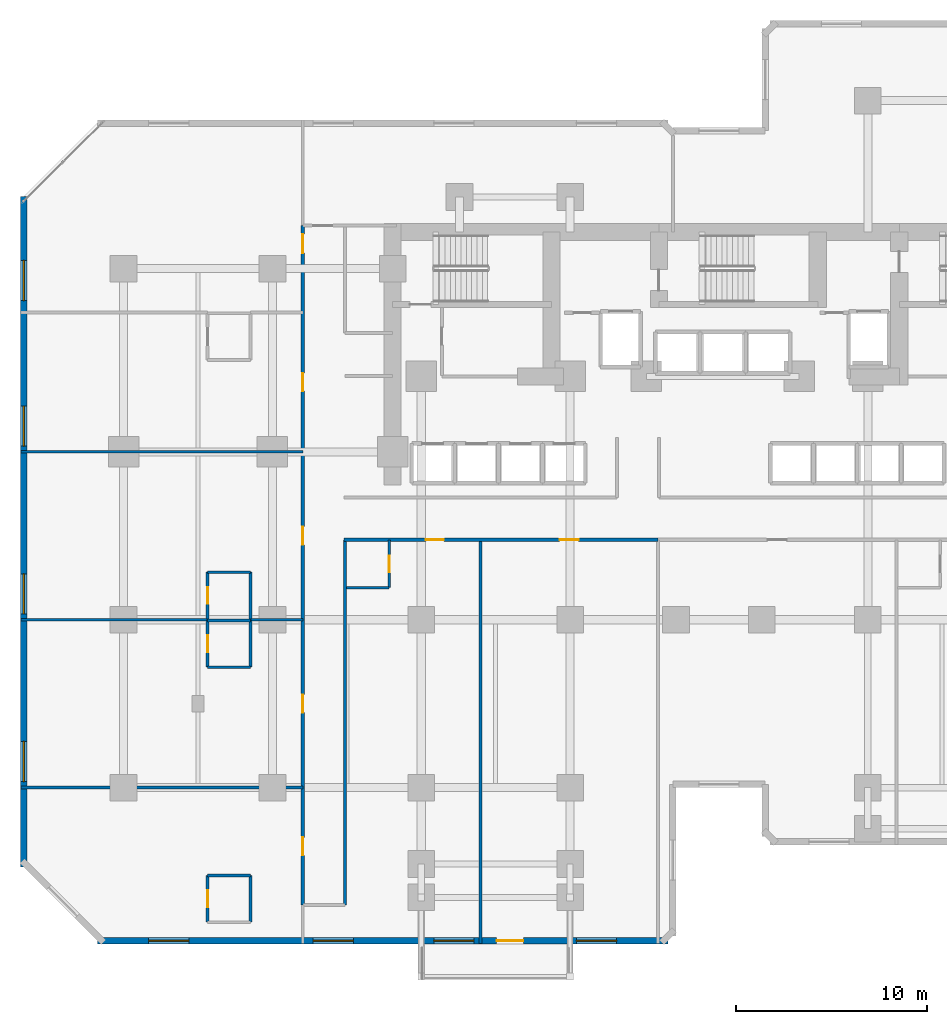
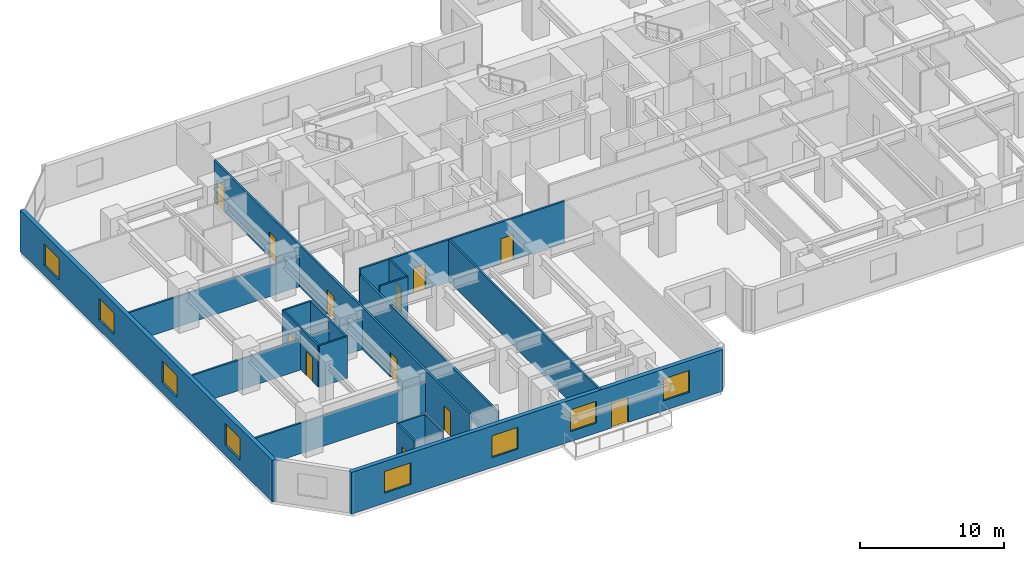
# One storey, part 5 of 11: 22 walls, 12 doors, 8 windows, 20 openings.
"""IFC4 building model written with IfcOpenShell, lengths in metres."""

from ifc_helpers import new_model, si_unit, direction, frame, frame_2d, origin, place, context, subcontext, project, spatial, rectangle, extrude, material, layer, layer_set, type_object, element, fill, save


model = new_model("IFC4")

# Units and contexts
model_context = context("Model", 3, precision=1e-05, world=origin(), true_north=direction((0.0, 1.0)))
body_context = subcontext(model_context, "Body", "Model", "MODEL_VIEW")
ifc_project = project(units=[si_unit("LENGTHUNIT", "METRE"), si_unit("AREAUNIT", "SQUARE_METRE"), si_unit("VOLUMEUNIT", "CUBIC_METRE"), si_unit("PLANEANGLEUNIT", "RADIAN"), si_unit("MASSUNIT", "GRAM", prefix="KILO")], contexts=[model_context])

# Site, building, storey
site_placement = place(None, origin())
site = spatial("IfcSite", under=ifc_project, at=site_placement, CompositionType="ELEMENT")
building_placement = place(site_placement, origin())
building = spatial("IfcBuilding", under=site, at=building_placement, Name="Kestravale Grand Hotel", CompositionType="ELEMENT")
storey_placement = place(building_placement, frame((0.0, 0.0, 45.0)))
storey = spatial("IfcBuildingStorey", under=building, at=storey_placement, Name="L10", CompositionType="ELEMENT", Elevation=45.0)

# Wall, openings, door, windows
ifc_material_1 = material(Name="Precast concrete f'c 45 MPa", Category="concrete")
ifc_layer_1 = layer(ifc_material_1, 0.340087890625)
ifc_layer_set_1 = layer_set([ifc_layer_1], Name="EW-PREC-340")
wall_type_1 = type_object("IfcWallType", Name="EW-PREC-340", PredefinedType="SOLIDWALL", material=ifc_layer_set_1)
wall_1_placement = place(storey_placement, frame((6.429931640625, 3.169921875, 0.0), z_axis=(0.0, 0.0, 1.0), x_axis=(1.0, 0.0, 0.0)))
wall_1 = element("IfcWall", 1, at=wall_1_placement, inside=storey, type_object=wall_type_1, Name="L10 fluted precast facade wall 1", PredefinedType="SOLIDWALL", context=body_context, shape_type="SweptSolid", body=[
    extrude(rectangle(XDim=29.89013671875, YDim=0.340087890625, at=frame_2d((14.945068359375, 0.0))), origin(), (0.0, 0.0, 1.0), 3.5400390625),
])
opening_1_placement = place(wall_1_placement, frame((20.919921875, 0.0, 0.0)))
opening_1 = element("IfcOpeningElement", 2, at=opening_1_placement, cuts=wall_1, Name="Opening D-TERR-1400", PredefinedType="OPENING", context=body_context, shape_type="SweptSolid", body=[
    extrude(rectangle(XDim=1.39990234375, YDim=2.14990234375, at=frame_2d((0.699951171875, 1.074951171875))), frame((0.0, 0.179931640625, 0.0), z_axis=(0.0, -1.0, 0.0), x_axis=(1.0, 0.0, 0.0)), (0.0, 0.0, 1.0), 0.360107421875),
])
opening_2_placement = place(wall_1_placement, frame((2.686279296875, 0.0, 0.85009765625)))
opening_2 = element("IfcOpeningElement", 3, at=opening_2_placement, cuts=wall_1, Name="Opening W-GUEST-2100", PredefinedType="OPENING", context=body_context, shape_type="SweptSolid", body=[
    extrude(rectangle(XDim=2.10009765625, YDim=1.85009765625, at=frame_2d((1.050048828125, 0.925048828125))), frame((0.0, 0.179931640625, 0.0), z_axis=(0.0, -1.0, 0.0), x_axis=(1.0, 0.0, 0.0)), (0.0, 0.0, 1.0), 0.360107421875),
])
opening_3_placement = place(wall_1_placement, frame((11.30859375, 0.0, 0.85009765625)))
opening_3 = element("IfcOpeningElement", 4, at=opening_3_placement, cuts=wall_1, Name="Opening W-GUEST-2100", PredefinedType="OPENING", context=body_context, shape_type="SweptSolid", body=[
    extrude(rectangle(XDim=2.10009765625, YDim=1.85009765625, at=frame_2d((1.050048828125, 0.925048828125))), frame((0.0, 0.179931640625, 0.0), z_axis=(0.0, -1.0, 0.0), x_axis=(1.0, 0.0, 0.0)), (0.0, 0.0, 1.0), 0.360107421875),
])
opening_4_placement = place(wall_1_placement, frame((17.631103515625, 0.0, 0.85009765625)))
opening_4 = element("IfcOpeningElement", 5, at=opening_4_placement, cuts=wall_1, Name="Opening W-GUEST-2100", PredefinedType="OPENING", context=body_context, shape_type="SweptSolid", body=[
    extrude(rectangle(XDim=2.10009765625, YDim=1.85009765625, at=frame_2d((1.050048828125, 0.925048828125))), frame((0.0, 0.179931640625, 0.0), z_axis=(0.0, -1.0, 0.0), x_axis=(1.0, 0.0, 0.0)), (0.0, 0.0, 1.0), 0.360107421875),
])
opening_5_placement = place(wall_1_placement, frame((25.103759765625, 0.0, 0.85009765625)))
opening_5 = element("IfcOpeningElement", 6, at=opening_5_placement, cuts=wall_1, Name="Opening W-GUEST-2100", PredefinedType="OPENING", context=body_context, shape_type="SweptSolid", body=[
    extrude(rectangle(XDim=2.10009765625, YDim=1.85009765625, at=frame_2d((1.050048828125, 0.925048828125))), frame((0.0, 0.179931640625, 0.0), z_axis=(0.0, -1.0, 0.0), x_axis=(1.0, 0.0, 0.0)), (0.0, 0.0, 1.0), 0.360107421875),
])
ifc_material_2 = material(Name="Insulated glazed champagne-bronze aluminium door", Category="aluminium")
door_type_1 = type_object("IfcDoorType", Name="D-TERR-1400", OperationType="NOTDEFINED", PredefinedType="DOOR", material=ifc_material_2)
door_1_placement = place(opening_1_placement, origin())
door_1 = element("IfcDoor", 7, at=door_1_placement, inside=storey, type_object=door_type_1, Name="L10 outdoor garden terrace door", OperationType="DOUBLE_DOOR_SINGLE_SWING", OverallHeight=2.14990234375, OverallWidth=1.39990234375, PredefinedType="DOOR", context=body_context, shape_type="SweptSolid", body=[
    extrude(rectangle(XDim=1.39990234375, YDim=2.14990234375, at=frame_2d((0.699951171875, 1.074951171875))), frame((0.0, 0.02490234375, 0.0), z_axis=(0.0, -1.0, 0.0), x_axis=(1.0, 0.0, 0.0)), (0.0, 0.0, 1.0), 0.050048828125),
])
fill(opening_1, door_1)
ifc_material_3 = material(Name="Insulated low-E double glazing in aluminium frame", Category="aluminium")
window_type = type_object("IfcWindowType", Name="W-GUEST-2100", PartitioningType="DOUBLE_PANEL_VERTICAL", PredefinedType="WINDOW", material=ifc_material_3)
window_1_placement = place(opening_2_placement, origin())
window_1 = element("IfcWindow", 8, at=window_1_placement, inside=storey, type_object=window_type, Name="L10 exterior window 1.1", OverallHeight=1.85009765625, OverallWidth=2.10009765625, PartitioningType="SINGLE_PANEL", PredefinedType="WINDOW", context=body_context, shape_type="SweptSolid", body=[
    extrude(rectangle(XDim=2.10009765625, YDim=1.85009765625, at=frame_2d((1.050048828125, 0.925048828125))), frame((0.0, 0.030029296875, 0.0), z_axis=(0.0, -1.0, 0.0), x_axis=(1.0, 0.0, 0.0)), (0.0, 0.0, 1.0), 0.06005859375),
])
fill(opening_2, window_1)
window_2_placement = place(opening_3_placement, origin())
window_2 = element("IfcWindow", 9, at=window_2_placement, inside=storey, type_object=window_type, Name="L10 exterior window 1.2", OverallHeight=1.85009765625, OverallWidth=2.10009765625, PartitioningType="SINGLE_PANEL", PredefinedType="WINDOW", context=body_context, shape_type="SweptSolid", body=[
    extrude(rectangle(XDim=2.10009765625, YDim=1.85009765625, at=frame_2d((1.050048828125, 0.925048828125))), frame((0.0, 0.030029296875, 0.0), z_axis=(0.0, -1.0, 0.0), x_axis=(1.0, 0.0, 0.0)), (0.0, 0.0, 1.0), 0.06005859375),
])
fill(opening_3, window_2)
window_3_placement = place(opening_4_placement, origin())
window_3 = element("IfcWindow", 10, at=window_3_placement, inside=storey, type_object=window_type, Name="L10 exterior window 1.3", OverallHeight=1.85009765625, OverallWidth=2.10009765625, PartitioningType="SINGLE_PANEL", PredefinedType="WINDOW", context=body_context, shape_type="SweptSolid", body=[
    extrude(rectangle(XDim=2.10009765625, YDim=1.85009765625, at=frame_2d((1.050048828125, 0.925048828125))), frame((0.0, 0.030029296875, 0.0), z_axis=(0.0, -1.0, 0.0), x_axis=(1.0, 0.0, 0.0)), (0.0, 0.0, 1.0), 0.06005859375),
])
fill(opening_4, window_3)
window_4_placement = place(opening_5_placement, origin())
window_4 = element("IfcWindow", 11, at=window_4_placement, inside=storey, type_object=window_type, Name="L10 exterior window 1.4", OverallHeight=1.85009765625, OverallWidth=2.10009765625, PartitioningType="SINGLE_PANEL", PredefinedType="WINDOW", context=body_context, shape_type="SweptSolid", body=[
    extrude(rectangle(XDim=2.10009765625, YDim=1.85009765625, at=frame_2d((1.050048828125, 0.925048828125))), frame((0.0, 0.030029296875, 0.0), z_axis=(0.0, -1.0, 0.0), x_axis=(1.0, 0.0, 0.0)), (0.0, 0.0, 1.0), 0.06005859375),
])
fill(opening_5, window_4)

# Wall, openings, windows
wall_2_placement = place(storey_placement, frame((2.570068359375, 42.169921875, 0.0), z_axis=(0.0, 0.0, 1.0), x_axis=(0.0, -1.0, 0.0)))
wall_2 = element("IfcWall", 12, at=wall_2_placement, inside=storey, type_object=wall_type_1, Name="L10 fluted precast facade wall 19", PredefinedType="SOLIDWALL", context=body_context, shape_type="SweptSolid", body=[
    extrude(rectangle(XDim=35.139892578125, YDim=0.340087890625, at=frame_2d((17.56982421875, 0.0))), origin(), (0.0, 0.0, 1.0), 3.5400390625),
])
opening_6_placement = place(wall_2_placement, frame((3.342529296875, 0.0, 0.85009765625)))
opening_6 = element("IfcOpeningElement", 13, at=opening_6_placement, cuts=wall_2, Name="Opening W-GUEST-2100", PredefinedType="OPENING", context=body_context, shape_type="SweptSolid", body=[
    extrude(rectangle(XDim=2.10009765625, YDim=1.85009765625, at=frame_2d((1.050048828125, 0.925048828125))), frame((0.0, 0.179931640625, 0.0), z_axis=(0.0, -1.0, 0.0), x_axis=(1.0, 0.0, 0.0)), (0.0, 0.0, 1.0), 0.360107421875),
])
opening_7_placement = place(wall_2_placement, frame((10.9775390625, 0.0, 0.85009765625)))
opening_7 = element("IfcOpeningElement", 14, at=opening_7_placement, cuts=wall_2, Name="Opening W-GUEST-2100", PredefinedType="OPENING", context=body_context, shape_type="SweptSolid", body=[
    extrude(rectangle(XDim=2.10009765625, YDim=1.85009765625, at=frame_2d((1.050048828125, 0.925048828125))), frame((0.0, 0.179931640625, 0.0), z_axis=(0.0, -1.0, 0.0), x_axis=(1.0, 0.0, 0.0)), (0.0, 0.0, 1.0), 0.360107421875),
])
opening_8_placement = place(wall_2_placement, frame((19.762451171875, 0.0, 0.85009765625)))
opening_8 = element("IfcOpeningElement", 15, at=opening_8_placement, cuts=wall_2, Name="Opening W-GUEST-2100", PredefinedType="OPENING", context=body_context, shape_type="SweptSolid", body=[
    extrude(rectangle(XDim=2.10009765625, YDim=1.85009765625, at=frame_2d((1.050048828125, 0.925048828125))), frame((0.0, 0.179931640625, 0.0), z_axis=(0.0, -1.0, 0.0), x_axis=(1.0, 0.0, 0.0)), (0.0, 0.0, 1.0), 0.360107421875),
])
opening_9_placement = place(wall_2_placement, frame((28.547607421875, 0.0, 0.85009765625)))
opening_9 = element("IfcOpeningElement", 16, at=opening_9_placement, cuts=wall_2, Name="Opening W-GUEST-2100", PredefinedType="OPENING", context=body_context, shape_type="SweptSolid", body=[
    extrude(rectangle(XDim=2.10009765625, YDim=1.85009765625, at=frame_2d((1.050048828125, 0.925048828125))), frame((0.0, 0.179931640625, 0.0), z_axis=(0.0, -1.0, 0.0), x_axis=(1.0, 0.0, 0.0)), (0.0, 0.0, 1.0), 0.360107421875),
])
window_5_placement = place(opening_6_placement, origin())
window_5 = element("IfcWindow", 17, at=window_5_placement, inside=storey, type_object=window_type, Name="L10 exterior window 19.1", OverallHeight=1.85009765625, OverallWidth=2.10009765625, PartitioningType="SINGLE_PANEL", PredefinedType="WINDOW", context=body_context, shape_type="SweptSolid", body=[
    extrude(rectangle(XDim=2.10009765625, YDim=1.85009765625, at=frame_2d((1.050048828125, 0.925048828125))), frame((0.0, 0.030029296875, 0.0), z_axis=(0.0, -1.0, 0.0), x_axis=(1.0, 0.0, 0.0)), (0.0, 0.0, 1.0), 0.06005859375),
])
fill(opening_6, window_5)
window_6_placement = place(opening_7_placement, origin())
window_6 = element("IfcWindow", 18, at=window_6_placement, inside=storey, type_object=window_type, Name="L10 exterior window 19.2", OverallHeight=1.85009765625, OverallWidth=2.10009765625, PartitioningType="SINGLE_PANEL", PredefinedType="WINDOW", context=body_context, shape_type="SweptSolid", body=[
    extrude(rectangle(XDim=2.10009765625, YDim=1.85009765625, at=frame_2d((1.050048828125, 0.925048828125))), frame((0.0, 0.030029296875, 0.0), z_axis=(0.0, -1.0, 0.0), x_axis=(1.0, 0.0, 0.0)), (0.0, 0.0, 1.0), 0.06005859375),
])
fill(opening_7, window_6)
window_7_placement = place(opening_8_placement, origin())
window_7 = element("IfcWindow", 19, at=window_7_placement, inside=storey, type_object=window_type, Name="L10 exterior window 19.3", OverallHeight=1.85009765625, OverallWidth=2.10009765625, PartitioningType="SINGLE_PANEL", PredefinedType="WINDOW", context=body_context, shape_type="SweptSolid", body=[
    extrude(rectangle(XDim=2.10009765625, YDim=1.85009765625, at=frame_2d((1.050048828125, 0.925048828125))), frame((0.0, 0.030029296875, 0.0), z_axis=(0.0, -1.0, 0.0), x_axis=(1.0, 0.0, 0.0)), (0.0, 0.0, 1.0), 0.06005859375),
])
fill(opening_8, window_7)
window_8_placement = place(opening_9_placement, origin())
window_8 = element("IfcWindow", 20, at=window_8_placement, inside=storey, type_object=window_type, Name="L10 exterior window 19.4", OverallHeight=1.85009765625, OverallWidth=2.10009765625, PartitioningType="SINGLE_PANEL", PredefinedType="WINDOW", context=body_context, shape_type="SweptSolid", body=[
    extrude(rectangle(XDim=2.10009765625, YDim=1.85009765625, at=frame_2d((1.050048828125, 0.925048828125))), frame((0.0, 0.030029296875, 0.0), z_axis=(0.0, -1.0, 0.0), x_axis=(1.0, 0.0, 0.0)), (0.0, 0.0, 1.0), 0.06005859375),
])
fill(opening_9, window_8)

# Wall, openings, doors
ifc_material_4 = material(Name="Acoustic fire-rated gypsum board partition", Category="other")
ifc_layer_2 = layer(ifc_material_4, 0.159912109375)
ifc_layer_set_2 = layer_set([ifc_layer_2], Name="IW-CORR-160")
wall_type_2 = type_object("IfcWallType", Name="IW-CORR-160", PredefinedType="PARTITIONING", material=ifc_layer_set_2)
wall_3_placement = place(storey_placement, frame((19.35009765625, 24.18994140625, 0.0), z_axis=(0.0, 0.0, 1.0), x_axis=(1.0, 0.0, 0.0)))
wall_3 = element("IfcWall", 21, at=wall_3_placement, inside=storey, type_object=wall_type_2, Name="W-L10-CW-S", PredefinedType="PARTITIONING", context=body_context, shape_type="SweptSolid", body=[
    extrude(rectangle(XDim=16.449951171875, YDim=0.159912109375, at=frame_2d((8.22509765625, 0.0))), origin(), (0.0, 0.0, 1.0), 3.5400390625),
])
opening_10_placement = place(wall_3_placement, frame((4.28759765625, 0.0, 0.0)))
opening_10 = element("IfcOpeningElement", 22, at=opening_10_placement, cuts=wall_3, Name="Opening D-GUEST-950", PredefinedType="OPENING", context=body_context, shape_type="SweptSolid", body=[
    extrude(rectangle(XDim=0.949951171875, YDim=2.10009765625, at=frame_2d((0.47509765625, 1.050048828125))), frame((0.0, 0.08984375, 0.0), z_axis=(0.0, -1.0, 0.0), x_axis=(1.0, 0.0, 0.0)), (0.0, 0.0, 1.0), 0.179931640625),
])
opening_11_placement = place(wall_3_placement, frame((11.302490234375, 0.0, 0.0)))
opening_11 = element("IfcOpeningElement", 23, at=opening_11_placement, cuts=wall_3, Name="Opening D-GUEST-1000", PredefinedType="OPENING", context=body_context, shape_type="SweptSolid", body=[
    extrude(rectangle(XDim=1.0, YDim=2.14990234375, at=frame_2d((0.5, 1.074951171875))), frame((0.0, 0.08984375, 0.0), z_axis=(0.0, -1.0, 0.0), x_axis=(1.0, 0.0, 0.0)), (0.0, 0.0, 1.0), 0.179931640625),
])
ifc_material_5 = material(Name="Accessible walnut veneer hotel entrance fire door", Category="wood")
door_type_2 = type_object("IfcDoorType", Name="D-GUEST-1000", OperationType="NOTDEFINED", PredefinedType="DOOR", material=ifc_material_5)
door_2_placement = place(opening_11_placement, origin())
door_2 = element("IfcDoor", 24, at=door_2_placement, inside=storey, type_object=door_type_2, Name="D-L10-AMW", OperationType="SINGLE_SWING_RIGHT", OverallHeight=2.14990234375, OverallWidth=1.0, PredefinedType="DOOR", context=body_context, shape_type="SweptSolid", body=[
    extrude(rectangle(XDim=1.0, YDim=2.14990234375, at=frame_2d((0.5, 1.074951171875))), frame((0.0, 0.02490234375, 0.0), z_axis=(0.0, -1.0, 0.0), x_axis=(1.0, 0.0, 0.0)), (0.0, 0.0, 1.0), 0.050048828125),
])
fill(opening_11, door_2)
ifc_material_6 = material(Name="Walnut veneer hotel guestroom entrance fire door", Category="wood")
door_type_3 = type_object("IfcDoorType", Name="D-GUEST-950", OperationType="NOTDEFINED", PredefinedType="DOOR", material=ifc_material_6)
door_3_placement = place(opening_10_placement, origin())
door_3 = element("IfcDoor", 25, at=door_3_placement, inside=storey, type_object=door_type_3, Name="D-L10-U01-ENT", OperationType="SINGLE_SWING_LEFT", OverallHeight=2.10009765625, OverallWidth=0.949951171875, PredefinedType="DOOR", context=body_context, shape_type="SweptSolid", body=[
    extrude(rectangle(XDim=0.949951171875, YDim=2.10009765625, at=frame_2d((0.47509765625, 1.050048828125))), frame((0.0, 0.02490234375, 0.0), z_axis=(0.0, -1.0, 0.0), x_axis=(1.0, 0.0, 0.0)), (0.0, 0.0, 1.0), 0.050048828125),
])
fill(opening_10, door_3)

wall_4_placement = place(storey_placement, frame((17.18994140625, 5.050048828125, 0.0), z_axis=(0.0, 0.0, 1.0), x_axis=(0.0, 1.0, 0.0)))
wall_4 = element("IfcWall", 26, at=wall_4_placement, inside=storey, type_object=wall_type_2, Name="W-L10-SW-W", PredefinedType="PARTITIONING", context=body_context, shape_type="SweptSolid", body=[
    extrude(rectangle(XDim=35.599853515625, YDim=0.159912109375, at=frame_2d((17.7998046875, 0.0))), origin(), (0.0, 0.0, 1.0), 3.5400390625),
])
opening_12_placement = place(wall_4_placement, frame((2.60009765625, 0.0, 0.0)))
opening_12 = element("IfcOpeningElement", 27, at=opening_12_placement, cuts=wall_4, Name="Opening D-GUEST-950", PredefinedType="OPENING", context=body_context, shape_type="SweptSolid", body=[
    extrude(rectangle(XDim=0.949951171875, YDim=2.10009765625, at=frame_2d((0.47509765625, 1.050048828125))), frame((0.0, 0.08984375, 0.0), z_axis=(0.0, -1.0, 0.0), x_axis=(1.0, 0.0, 0.0)), (0.0, 0.0, 1.0), 0.179931640625),
])
opening_13_placement = place(wall_4_placement, frame((10.074951171875, 0.0, 0.0)))
opening_13 = element("IfcOpeningElement", 28, at=opening_13_placement, cuts=wall_4, Name="Opening D-GUEST-950", PredefinedType="OPENING", context=body_context, shape_type="SweptSolid", body=[
    extrude(rectangle(XDim=0.949951171875, YDim=2.10009765625, at=frame_2d((0.47509765625, 1.050048828125))), frame((0.0, 0.08984375, 0.0), z_axis=(0.0, -1.0, 0.0), x_axis=(1.0, 0.0, 0.0)), (0.0, 0.0, 1.0), 0.179931640625),
])
opening_14_placement = place(wall_4_placement, frame((18.875, 0.0, 0.0)))
opening_14 = element("IfcOpeningElement", 29, at=opening_14_placement, cuts=wall_4, Name="Opening D-GUEST-950", PredefinedType="OPENING", context=body_context, shape_type="SweptSolid", body=[
    extrude(rectangle(XDim=0.949951171875, YDim=2.10009765625, at=frame_2d((0.47509765625, 1.050048828125))), frame((0.0, 0.08984375, 0.0), z_axis=(0.0, -1.0, 0.0), x_axis=(1.0, 0.0, 0.0)), (0.0, 0.0, 1.0), 0.179931640625),
])
opening_15_placement = place(wall_4_placement, frame((26.925048828125, 0.0, 0.0)))
opening_15 = element("IfcOpeningElement", 30, at=opening_15_placement, cuts=wall_4, Name="Opening D-GUEST-950", PredefinedType="OPENING", context=body_context, shape_type="SweptSolid", body=[
    extrude(rectangle(XDim=0.949951171875, YDim=2.10009765625, at=frame_2d((0.47509765625, 1.050048828125))), frame((0.0, 0.08984375, 0.0), z_axis=(0.0, -1.0, 0.0), x_axis=(1.0, 0.0, 0.0)), (0.0, 0.0, 1.0), 0.179931640625),
])
opening_16_placement = place(wall_4_placement, frame((34.159912109375, 0.0, 0.0)))
opening_16 = element("IfcOpeningElement", 31, at=opening_16_placement, cuts=wall_4, Name="Opening D-GUEST-1000", PredefinedType="OPENING", context=body_context, shape_type="SweptSolid", body=[
    extrude(rectangle(XDim=1.0, YDim=2.14990234375, at=frame_2d((0.5, 1.074951171875))), frame((0.0, 0.08984375, 0.0), z_axis=(0.0, -1.0, 0.0), x_axis=(1.0, 0.0, 0.0)), (0.0, 0.0, 1.0), 0.179931640625),
])
door_4_placement = place(opening_16_placement, origin())
door_4 = element("IfcDoor", 32, at=door_4_placement, inside=storey, type_object=door_type_2, Name="D-L10-AMWW", OperationType="SINGLE_SWING_RIGHT", OverallHeight=2.14990234375, OverallWidth=1.0, PredefinedType="DOOR", context=body_context, shape_type="SweptSolid", body=[
    extrude(rectangle(XDim=1.0, YDim=2.14990234375, at=frame_2d((0.5, 1.074951171875))), frame((0.0, 0.02490234375, 0.0), z_axis=(0.0, -1.0, 0.0), x_axis=(1.0, 0.0, 0.0)), (0.0, 0.0, 1.0), 0.050048828125),
])
fill(opening_16, door_4)
door_5_placement = place(opening_12_placement, origin())
door_5 = element("IfcDoor", 33, at=door_5_placement, inside=storey, type_object=door_type_3, Name="D-L10-U03-ENT", OperationType="SINGLE_SWING_LEFT", OverallHeight=2.10009765625, OverallWidth=0.949951171875, PredefinedType="DOOR", context=body_context, shape_type="SweptSolid", body=[
    extrude(rectangle(XDim=0.949951171875, YDim=2.10009765625, at=frame_2d((0.47509765625, 1.050048828125))), frame((0.0, 0.02490234375, 0.0), z_axis=(0.0, -1.0, 0.0), x_axis=(1.0, 0.0, 0.0)), (0.0, 0.0, 1.0), 0.050048828125),
])
fill(opening_12, door_5)
door_6_placement = place(opening_13_placement, origin())
door_6 = element("IfcDoor", 34, at=door_6_placement, inside=storey, type_object=door_type_3, Name="D-L10-U04-ENT", OperationType="SINGLE_SWING_LEFT", OverallHeight=2.10009765625, OverallWidth=0.949951171875, PredefinedType="DOOR", context=body_context, shape_type="SweptSolid", body=[
    extrude(rectangle(XDim=0.949951171875, YDim=2.10009765625, at=frame_2d((0.47509765625, 1.050048828125))), frame((0.0, 0.02490234375, 0.0), z_axis=(0.0, -1.0, 0.0), x_axis=(1.0, 0.0, 0.0)), (0.0, 0.0, 1.0), 0.050048828125),
])
fill(opening_13, door_6)
door_7_placement = place(opening_14_placement, origin())
door_7 = element("IfcDoor", 35, at=door_7_placement, inside=storey, type_object=door_type_3, Name="D-L10-U05-ENT", OperationType="SINGLE_SWING_LEFT", OverallHeight=2.10009765625, OverallWidth=0.949951171875, PredefinedType="DOOR", context=body_context, shape_type="SweptSolid", body=[
    extrude(rectangle(XDim=0.949951171875, YDim=2.10009765625, at=frame_2d((0.47509765625, 1.050048828125))), frame((0.0, 0.02490234375, 0.0), z_axis=(0.0, -1.0, 0.0), x_axis=(1.0, 0.0, 0.0)), (0.0, 0.0, 1.0), 0.050048828125),
])
fill(opening_14, door_7)
door_8_placement = place(opening_15_placement, origin())
door_8 = element("IfcDoor", 36, at=door_8_placement, inside=storey, type_object=door_type_3, Name="D-L10-U06-ENT", OperationType="SINGLE_SWING_LEFT", OverallHeight=2.10009765625, OverallWidth=0.949951171875, PredefinedType="DOOR", context=body_context, shape_type="SweptSolid", body=[
    extrude(rectangle(XDim=0.949951171875, YDim=2.10009765625, at=frame_2d((0.47509765625, 1.050048828125))), frame((0.0, 0.02490234375, 0.0), z_axis=(0.0, -1.0, 0.0), x_axis=(1.0, 0.0, 0.0)), (0.0, 0.0, 1.0), 0.050048828125),
])
fill(opening_15, door_8)

# Wall
wall_5_placement = place(storey_placement, frame((19.409912109375, 5.050048828125, 0.0), z_axis=(0.0, 0.0, 1.0), x_axis=(0.0, 1.0, 0.0)))
element("IfcWall", 37, at=wall_5_placement, inside=storey, type_object=wall_type_2, Name="W-L10-SW-E", PredefinedType="PARTITIONING", context=body_context, shape_type="SweptSolid", body=[
    extrude(rectangle(XDim=19.139892578125, YDim=0.159912109375, at=frame_2d((9.56982421875, 0.0))), origin(), (0.0, 0.0, 1.0), 3.00390625),
])

# Wall, opening, door
ifc_material_7 = material(Name="Moisture-resistant tile-backer plumbing chase wall", Category="other")
ifc_layer_3 = layer(ifc_material_7, 0.139892578125)
ifc_layer_set_3 = layer_set([ifc_layer_3], Name="IW-PLB-140")
wall_type_3 = type_object("IfcWallType", Name="IW-PLB-140", PredefinedType="PLUMBINGWALL", material=ifc_layer_set_3)
wall_6_placement = place(storey_placement, frame((21.719970703125, 21.679931640625, 0.0), z_axis=(0.0, 0.0, 1.0), x_axis=(0.0, 1.0, 0.0)))
wall_6 = element("IfcWall", 38, at=wall_6_placement, inside=storey, type_object=wall_type_3, Name="W-L10-U01-BE", PredefinedType="PLUMBINGWALL", context=body_context, shape_type="SweptSolid", body=[
    extrude(rectangle(XDim=2.489990234375, YDim=0.139892578125, at=frame_2d((1.2451171875, 0.0))), origin(), (0.0, 0.0, 1.0), 3.5400390625),
])
opening_17_placement = place(wall_6_placement, frame((0.804931640625, 0.0, 0.0)))
opening_17 = element("IfcOpeningElement", 39, at=opening_17_placement, cuts=wall_6, Name="Opening D-BATH-880", PredefinedType="OPENING", context=body_context, shape_type="SweptSolid", body=[
    extrude(rectangle(XDim=0.8798828125, YDim=2.050048828125, at=frame_2d((0.43994140625, 1.02490234375))), frame((0.0, 0.079833984375, 0.0), z_axis=(0.0, -1.0, 0.0), x_axis=(1.0, 0.0, 0.0)), (0.0, 0.0, 1.0), 0.159912109375),
])
ifc_material_8 = material(Name="Moisture-sealed walnut en-suite bathroom door", Category="wood")
door_type_4 = type_object("IfcDoorType", Name="D-BATH-880", OperationType="NOTDEFINED", PredefinedType="DOOR", material=ifc_material_8)
door_9_placement = place(opening_17_placement, origin())
door_9 = element("IfcDoor", 40, at=door_9_placement, inside=storey, type_object=door_type_4, Name="D-L10-U01-BATH", OperationType="SINGLE_SWING_RIGHT", OverallHeight=2.050048828125, OverallWidth=0.8798828125, PredefinedType="DOOR", context=body_context, shape_type="SweptSolid", body=[
    extrude(rectangle(XDim=0.8798828125, YDim=2.050048828125, at=frame_2d((0.43994140625, 1.02490234375))), frame((0.0, 0.02490234375, 0.0), z_axis=(0.0, -1.0, 0.0), x_axis=(1.0, 0.0, 0.0)), (0.0, 0.0, 1.0), 0.050048828125),
])
fill(opening_17, door_9)

# Wall
wall_7_placement = place(storey_placement, frame((19.469970703125, 21.679931640625, 0.0), z_axis=(0.0, 0.0, 1.0), x_axis=(1.0, 0.0, 0.0)))
element("IfcWall", 41, at=wall_7_placement, inside=storey, type_object=wall_type_3, Name="W-L10-U01-BS", PredefinedType="PLUMBINGWALL", context=body_context, shape_type="SweptSolid", body=[
    extrude(rectangle(XDim=2.25, YDim=0.139892578125, at=frame_2d((1.125, 0.0))), origin(), (0.0, 0.0, 1.0), 3.5400390625),
])

# Wall, opening, door
wall_8_placement = place(storey_placement, frame((12.199951171875, 4.14990234375, 0.0), z_axis=(0.0, 0.0, 1.0), x_axis=(0.0, 1.0, 0.0)))
wall_8 = element("IfcWall", 42, at=wall_8_placement, inside=storey, type_object=wall_type_3, Name="W-L10-U03-BW", PredefinedType="PLUMBINGWALL", context=body_context, shape_type="SweptSolid", body=[
    extrude(rectangle(XDim=2.4501953125, YDim=0.139892578125, at=frame_2d((1.22509765625, 0.0))), origin(), (0.0, 0.0, 1.0), 3.5400390625),
])
opening_18_placement = place(wall_8_placement, frame((0.784912109375, 0.0, 0.0)))
opening_18 = element("IfcOpeningElement", 43, at=opening_18_placement, cuts=wall_8, Name="Opening D-BATH-880", PredefinedType="OPENING", context=body_context, shape_type="SweptSolid", body=[
    extrude(rectangle(XDim=0.8798828125, YDim=2.050048828125, at=frame_2d((0.43994140625, 1.02490234375))), frame((0.0, 0.079833984375, 0.0), z_axis=(0.0, -1.0, 0.0), x_axis=(1.0, 0.0, 0.0)), (0.0, 0.0, 1.0), 0.159912109375),
])
door_10_placement = place(opening_18_placement, origin())
door_10 = element("IfcDoor", 44, at=door_10_placement, inside=storey, type_object=door_type_4, Name="D-L10-U03-BATH", OperationType="SINGLE_SWING_RIGHT", OverallHeight=2.050048828125, OverallWidth=0.8798828125, PredefinedType="DOOR", context=body_context, shape_type="SweptSolid", body=[
    extrude(rectangle(XDim=0.8798828125, YDim=2.050048828125, at=frame_2d((0.43994140625, 1.02490234375))), frame((0.0, 0.02490234375, 0.0), z_axis=(0.0, -1.0, 0.0), x_axis=(1.0, 0.0, 0.0)), (0.0, 0.0, 1.0), 0.050048828125),
])
fill(opening_18, door_10)

# Walls
wall_9_placement = place(storey_placement, frame((14.449951171875, 4.14990234375, 0.0), z_axis=(0.0, 0.0, 1.0), x_axis=(0.0, 1.0, 0.0)))
element("IfcWall", 45, at=wall_9_placement, inside=storey, type_object=wall_type_3, Name="W-L10-U03-BE", PredefinedType="PLUMBINGWALL", context=body_context, shape_type="SweptSolid", body=[
    extrude(rectangle(XDim=2.4501953125, YDim=0.139892578125, at=frame_2d((1.22509765625, 0.0))), origin(), (0.0, 0.0, 1.0), 3.5400390625),
])
wall_10_placement = place(storey_placement, frame((12.199951171875, 6.60009765625, 0.0), z_axis=(0.0, 0.0, 1.0), x_axis=(1.0, 0.0, 0.0)))
element("IfcWall", 46, at=wall_10_placement, inside=storey, type_object=wall_type_3, Name="W-L10-U03-BN", PredefinedType="PLUMBINGWALL", context=body_context, shape_type="SweptSolid", body=[
    extrude(rectangle(XDim=2.25, YDim=0.139892578125, at=frame_2d((1.125, 0.0))), origin(), (0.0, 0.0, 1.0), 3.5400390625),
])

# Wall, opening, door
wall_11_placement = place(storey_placement, frame((12.199951171875, 17.510009765625, 0.0), z_axis=(0.0, 0.0, 1.0), x_axis=(0.0, 1.0, 0.0)))
wall_11 = element("IfcWall", 47, at=wall_11_placement, inside=storey, type_object=wall_type_3, Name="W-L10-U04-BW", PredefinedType="PLUMBINGWALL", context=body_context, shape_type="SweptSolid", body=[
    extrude(rectangle(XDim=2.449951171875, YDim=0.139892578125, at=frame_2d((1.22509765625, 0.0))), origin(), (0.0, 0.0, 1.0), 3.5400390625),
])
opening_19_placement = place(wall_11_placement, frame((0.784912109375, 0.0, 0.0)))
opening_19 = element("IfcOpeningElement", 48, at=opening_19_placement, cuts=wall_11, Name="Opening D-BATH-880", PredefinedType="OPENING", context=body_context, shape_type="SweptSolid", body=[
    extrude(rectangle(XDim=0.8798828125, YDim=2.050048828125, at=frame_2d((0.43994140625, 1.02490234375))), frame((0.0, 0.079833984375, 0.0), z_axis=(0.0, -1.0, 0.0), x_axis=(1.0, 0.0, 0.0)), (0.0, 0.0, 1.0), 0.159912109375),
])
door_11_placement = place(opening_19_placement, origin())
door_11 = element("IfcDoor", 49, at=door_11_placement, inside=storey, type_object=door_type_4, Name="D-L10-U04-BATH", OperationType="SINGLE_SWING_RIGHT", OverallHeight=2.050048828125, OverallWidth=0.8798828125, PredefinedType="DOOR", context=body_context, shape_type="SweptSolid", body=[
    extrude(rectangle(XDim=0.8798828125, YDim=2.050048828125, at=frame_2d((0.43994140625, 1.02490234375))), frame((0.0, 0.02490234375, 0.0), z_axis=(0.0, -1.0, 0.0), x_axis=(1.0, 0.0, 0.0)), (0.0, 0.0, 1.0), 0.050048828125),
])
fill(opening_19, door_11)

# Walls
wall_12_placement = place(storey_placement, frame((14.449951171875, 17.510009765625, 0.0), z_axis=(0.0, 0.0, 1.0), x_axis=(0.0, 1.0, 0.0)))
element("IfcWall", 50, at=wall_12_placement, inside=storey, type_object=wall_type_3, Name="W-L10-U04-BE", PredefinedType="PLUMBINGWALL", context=body_context, shape_type="SweptSolid", body=[
    extrude(rectangle(XDim=2.449951171875, YDim=0.139892578125, at=frame_2d((1.22509765625, 0.0))), origin(), (0.0, 0.0, 1.0), 3.5400390625),
])
wall_13_placement = place(storey_placement, frame((12.199951171875, 17.510009765625, 0.0), z_axis=(0.0, 0.0, 1.0), x_axis=(1.0, 0.0, 0.0)))
element("IfcWall", 51, at=wall_13_placement, inside=storey, type_object=wall_type_3, Name="W-L10-U04-BS", PredefinedType="PLUMBINGWALL", context=body_context, shape_type="SweptSolid", body=[
    extrude(rectangle(XDim=2.25, YDim=0.139892578125, at=frame_2d((1.125, 0.0))), origin(), (0.0, 0.0, 1.0), 3.5400390625),
])
wall_14_placement = place(storey_placement, frame((12.199951171875, 19.9599609375, 0.0), z_axis=(0.0, 0.0, 1.0), x_axis=(1.0, 0.0, 0.0)))
element("IfcWall", 52, at=wall_14_placement, inside=storey, type_object=wall_type_3, Name="W-L10-U04-BN", PredefinedType="PLUMBINGWALL", context=body_context, shape_type="SweptSolid", body=[
    extrude(rectangle(XDim=2.25, YDim=0.139892578125, at=frame_2d((1.125, 0.0))), origin(), (0.0, 0.0, 1.0), 2.593017578125),
])

# Wall, opening, door
wall_15_placement = place(storey_placement, frame((12.199951171875, 20.0400390625, 0.0), z_axis=(0.0, 0.0, 1.0), x_axis=(0.0, 1.0, 0.0)))
wall_15 = element("IfcWall", 53, at=wall_15_placement, inside=storey, type_object=wall_type_3, Name="W-L10-U05-BW", PredefinedType="PLUMBINGWALL", context=body_context, shape_type="SweptSolid", body=[
    extrude(rectangle(XDim=2.449951171875, YDim=0.139892578125, at=frame_2d((1.22509765625, 0.0))), origin(), (0.0, 0.0, 1.0), 3.5400390625),
])
opening_20_placement = place(wall_15_placement, frame((0.784912109375, 0.0, 0.0)))
opening_20 = element("IfcOpeningElement", 54, at=opening_20_placement, cuts=wall_15, Name="Opening D-BATH-880", PredefinedType="OPENING", context=body_context, shape_type="SweptSolid", body=[
    extrude(rectangle(XDim=0.8798828125, YDim=2.050048828125, at=frame_2d((0.43994140625, 1.02490234375))), frame((0.0, 0.079833984375, 0.0), z_axis=(0.0, -1.0, 0.0), x_axis=(1.0, 0.0, 0.0)), (0.0, 0.0, 1.0), 0.159912109375),
])
door_12_placement = place(opening_20_placement, origin())
door_12 = element("IfcDoor", 55, at=door_12_placement, inside=storey, type_object=door_type_4, Name="D-L10-U05-BATH", OperationType="SINGLE_SWING_RIGHT", OverallHeight=2.050048828125, OverallWidth=0.8798828125, PredefinedType="DOOR", context=body_context, shape_type="SweptSolid", body=[
    extrude(rectangle(XDim=0.8798828125, YDim=2.050048828125, at=frame_2d((0.43994140625, 1.02490234375))), frame((0.0, 0.02490234375, 0.0), z_axis=(0.0, -1.0, 0.0), x_axis=(1.0, 0.0, 0.0)), (0.0, 0.0, 1.0), 0.050048828125),
])
fill(opening_20, door_12)

# Walls
wall_16_placement = place(storey_placement, frame((14.449951171875, 20.0400390625, 0.0), z_axis=(0.0, 0.0, 1.0), x_axis=(0.0, 1.0, 0.0)))
element("IfcWall", 56, at=wall_16_placement, inside=storey, type_object=wall_type_3, Name="W-L10-U05-BE", PredefinedType="PLUMBINGWALL", context=body_context, shape_type="SweptSolid", body=[
    extrude(rectangle(XDim=2.449951171875, YDim=0.139892578125, at=frame_2d((1.22509765625, 0.0))), origin(), (0.0, 0.0, 1.0), 3.5400390625),
])
wall_17_placement = place(storey_placement, frame((12.199951171875, 22.489990234375, 0.0), z_axis=(0.0, 0.0, 1.0), x_axis=(1.0, 0.0, 0.0)))
element("IfcWall", 57, at=wall_17_placement, inside=storey, type_object=wall_type_3, Name="W-L10-U05-BN", PredefinedType="PLUMBINGWALL", context=body_context, shape_type="SweptSolid", body=[
    extrude(rectangle(XDim=2.25, YDim=0.139892578125, at=frame_2d((1.125, 0.0))), origin(), (0.0, 0.0, 1.0), 3.5400390625),
])
ifc_material_9 = material(Name="Double-stud STC 52 acoustic demising partition", Category="other")
ifc_layer_4 = layer(ifc_material_9, 0.14990234375)
ifc_layer_set_4 = layer_set([ifc_layer_4], Name="IW-UNIT-150")
wall_type_4 = type_object("IfcWallType", Name="IW-UNIT-150", PredefinedType="PARTITIONING", material=ifc_layer_set_4)
wall_18_placement = place(storey_placement, frame((26.5048828125, 3.02001953125, 0.0), z_axis=(0.0, 0.0, 1.0), x_axis=(0.0, 1.0, 0.0)))
element("IfcWall", 58, at=wall_18_placement, inside=storey, type_object=wall_type_4, Name="W-L10-WS-1", PredefinedType="PARTITIONING", context=body_context, shape_type="SweptSolid", body=[
    extrude(rectangle(XDim=21.169921875, YDim=0.14990234375, at=frame_2d((10.5849609375, 0.0))), origin(), (0.0, 0.0, 1.0), 3.5400390625),
])
wall_19_placement = place(storey_placement, frame((2.419921875, 11.199951171875, 0.0), z_axis=(0.0, 0.0, 1.0), x_axis=(1.0, 0.0, 0.0)))
element("IfcWall", 59, at=wall_19_placement, inside=storey, type_object=wall_type_4, Name="W-L10-WW-1", PredefinedType="PARTITIONING", context=body_context, shape_type="SweptSolid", body=[
    extrude(rectangle(XDim=14.77001953125, YDim=0.14990234375, at=frame_2d((7.385009765625, 0.0))), origin(), (0.0, 0.0, 1.0), 2.593017578125),
])
wall_20_placement = place(storey_placement, frame((2.419921875, 20.0, 0.0), z_axis=(0.0, 0.0, 1.0), x_axis=(1.0, 0.0, 0.0)))
element("IfcWall", 60, at=wall_20_placement, inside=storey, type_object=wall_type_4, Name="W-L10-WW-2", PredefinedType="PARTITIONING", context=body_context, shape_type="SweptSolid", body=[
    extrude(rectangle(XDim=9.780029296875, YDim=0.14990234375, at=frame_2d((4.89013671875, 0.0))), origin(), (0.0, 0.0, 1.0), 2.593017578125),
])
wall_21_placement = place(storey_placement, frame((14.449951171875, 20.0, 0.0), z_axis=(0.0, 0.0, 1.0), x_axis=(1.0, 0.0, 0.0)))
element("IfcWall", 61, at=wall_21_placement, inside=storey, type_object=wall_type_4, Name="W-L10-WW-2", PredefinedType="PARTITIONING", context=body_context, shape_type="SweptSolid", body=[
    extrude(rectangle(XDim=2.739990234375, YDim=0.14990234375, at=frame_2d((1.3701171875, 0.0))), origin(), (0.0, 0.0, 1.0), 2.593017578125),
])
wall_22_placement = place(storey_placement, frame((2.419921875, 28.800048828125, 0.0), z_axis=(0.0, 0.0, 1.0), x_axis=(1.0, 0.0, 0.0)))
element("IfcWall", 62, at=wall_22_placement, inside=storey, type_object=wall_type_4, Name="W-L10-WW-3", PredefinedType="PARTITIONING", context=body_context, shape_type="SweptSolid", body=[
    extrude(rectangle(XDim=14.77001953125, YDim=0.14990234375, at=frame_2d((7.385009765625, 0.0))), origin(), (0.0, 0.0, 1.0), 2.593017578125),
])

save(model, "model.ifc")
